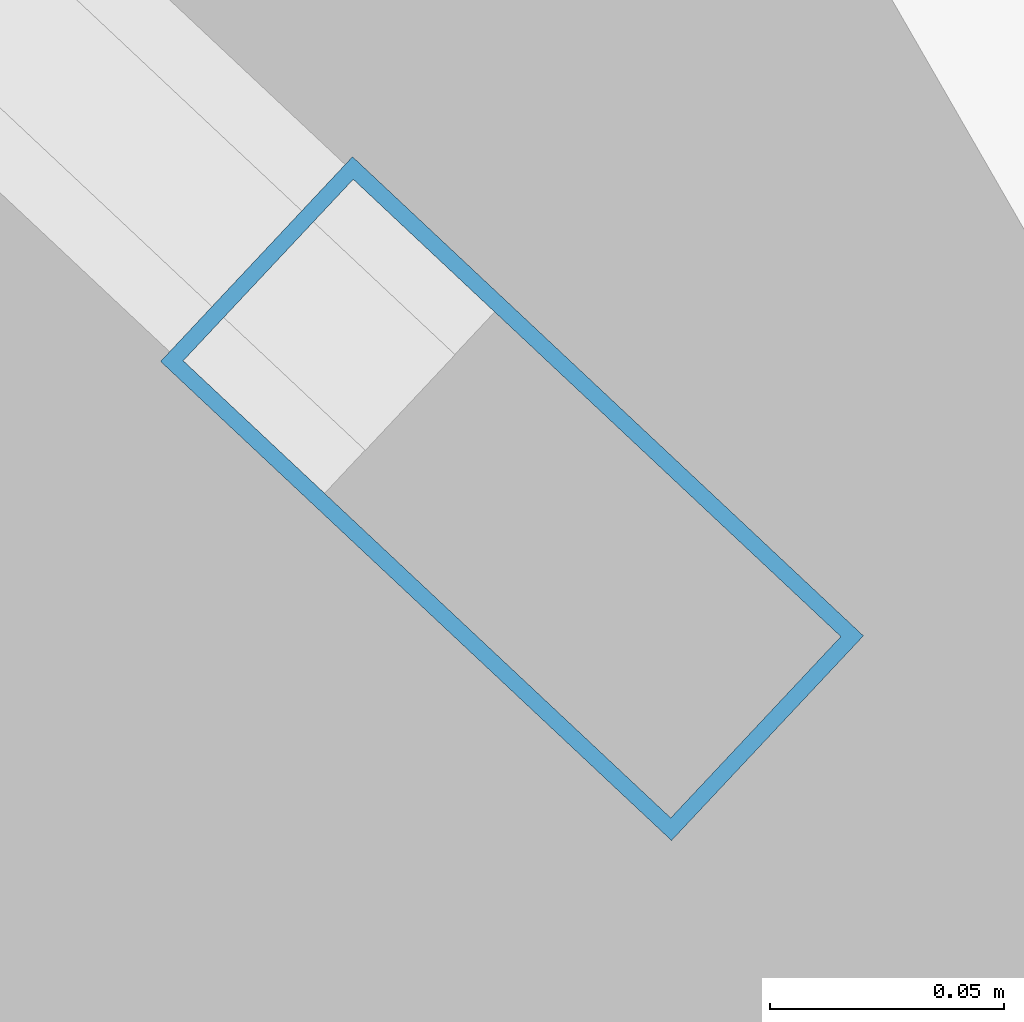
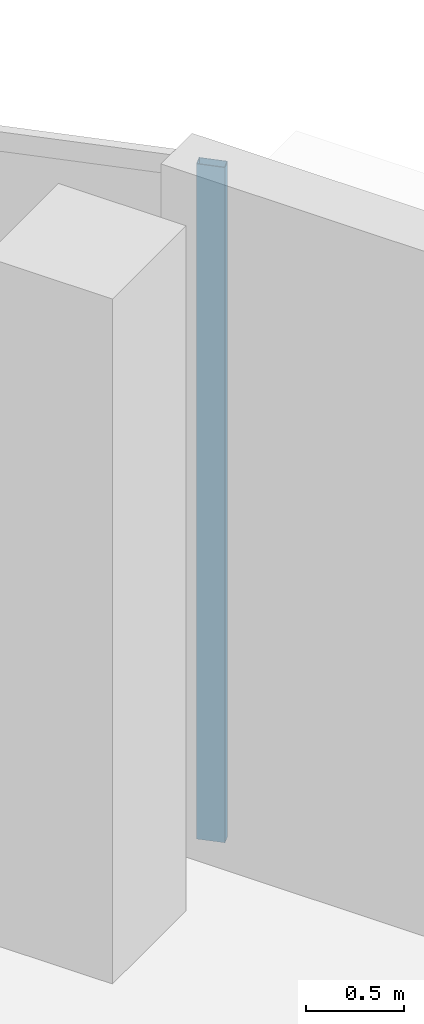
# One storey, part 56 of 107: 1 member, 1 element without a shape of its own.
"""IFC4 building model written with IfcOpenShell, lengths in metres."""

from ifc_helpers import new_model, si_unit, direction, frame, origin, origin_2d, place, context, subcontext, project, spatial, hollow_rectangle, extrude, material, layer, layer_set, material_profile, profile_set, type_object, element, aggregate, save


model = new_model("IFC4")

# Units and contexts
model_context = context("Model", 3, precision=1e-05, world=origin(), true_north=direction((0.0, 1.0)))
body_context = subcontext(model_context, "Body", "Model", "MODEL_VIEW")
ifc_project = project(units=[si_unit("LENGTHUNIT", "METRE"), si_unit("AREAUNIT", "SQUARE_METRE"), si_unit("VOLUMEUNIT", "CUBIC_METRE"), si_unit("PLANEANGLEUNIT", "RADIAN"), si_unit("MASSUNIT", "GRAM", prefix="KILO")], contexts=[model_context])

# Site, building, storey
site_placement = place(None, origin())
site = spatial("IfcSite", under=ifc_project, at=site_placement, CompositionType="ELEMENT")
building_placement = place(site_placement, origin())
building = spatial("IfcBuilding", under=site, at=building_placement, Name="Kalgoora Escarpment Arena", CompositionType="ELEMENT")
storey_placement = place(building_placement, frame((0.0, 0.0, 5.39990234375)))
storey = spatial("IfcBuildingStorey", under=building, at=storey_placement, Name="L01", CompositionType="ELEMENT", Elevation=5.39990234375)

# Curtain wall, member
ifc_material_1 = material(Name=" Champagne anodised aluminium & double-glazed low-E", Category="aluminium")
ifc_layer = layer(ifc_material_1, 0.162109375)
ifc_layer_set = layer_set([ifc_layer], Name="CW-UNIT-13")
curtain_wall_type = type_object("IfcCurtainWallType", Name="CW-UNIT-13", PredefinedType="NOTDEFINED", material=ifc_layer_set)
curtain_wall_placement = place(storey_placement, origin())
curtain_wall = element("IfcCurtainWall", 1, at=curtain_wall_placement, inside=storey, type_object=curtain_wall_type, Name="L01 unitised facade curtain wall 032", PredefinedType="NOTDEFINED")
ifc_material_2 = material(Name="Anodised aluminium 6063-T6", Category="aluminium")
ifc_material_profile = material_profile(ifc_material_2, hollow_rectangle(XDim=0.06005859375, YDim=0.14990234375, WallThickness=0.00341796875, at=origin_2d()))
ifc_profile_set = profile_set([ifc_material_profile], Name="Anodised aluminium 6063-T6")
member_type = type_object("IfcMemberType", Name="MEM-CW-MULL-150", PredefinedType="MULLION", material=ifc_profile_set)
member_placement = place(storey_placement, frame((167.64013671875, 95.23291015625, 0.02001953125), z_axis=(0.0, 0.0, 1.0), x_axis=(0.684026263501, 0.7294573811, 0.0)))
member = element("IfcMember", 2, at=member_placement, type_object=member_type, Name="CW-13 mullion 2", PredefinedType="MULLION", context=body_context, shape_type="SweptSolid", body=[
    extrude(hollow_rectangle(XDim=0.06005859375, YDim=0.14990234375, WallThickness=0.00341796875, at=origin_2d()), origin(), (0.0, 0.0, 1.0), 4.190185546875),
])
aggregate(curtain_wall, [member])

save(model, "model.ifc")
